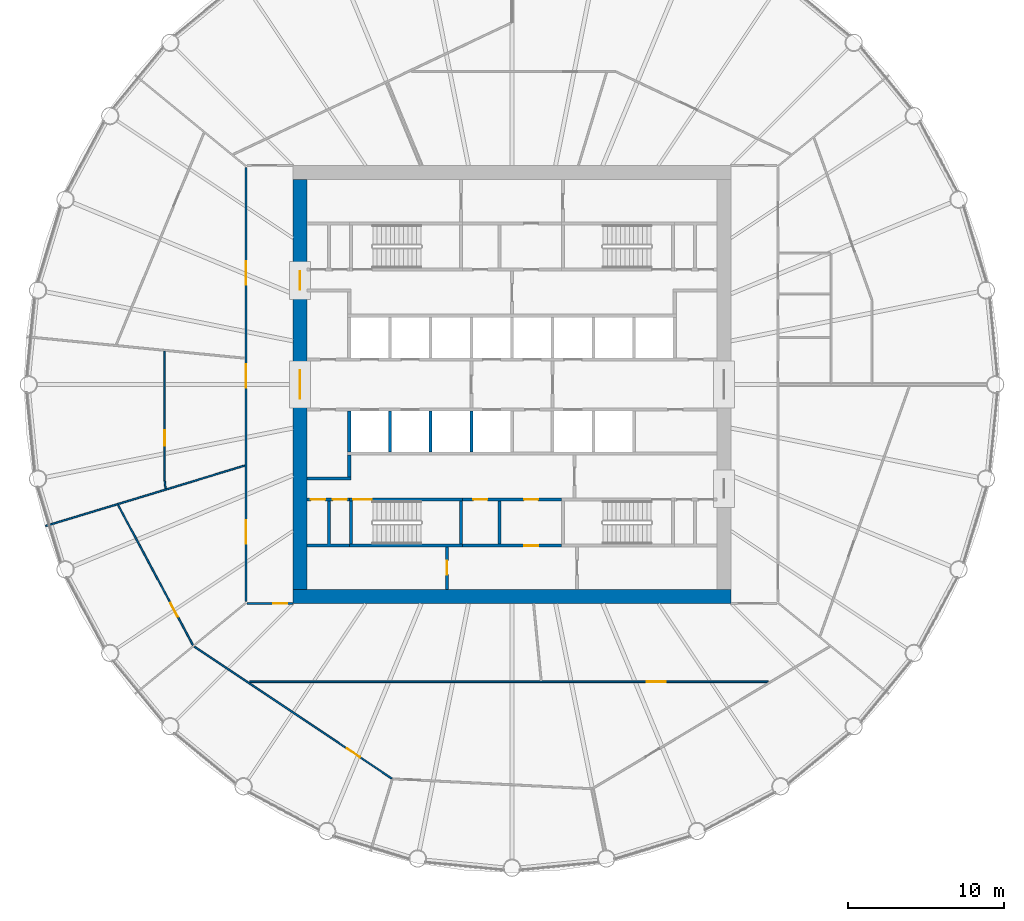
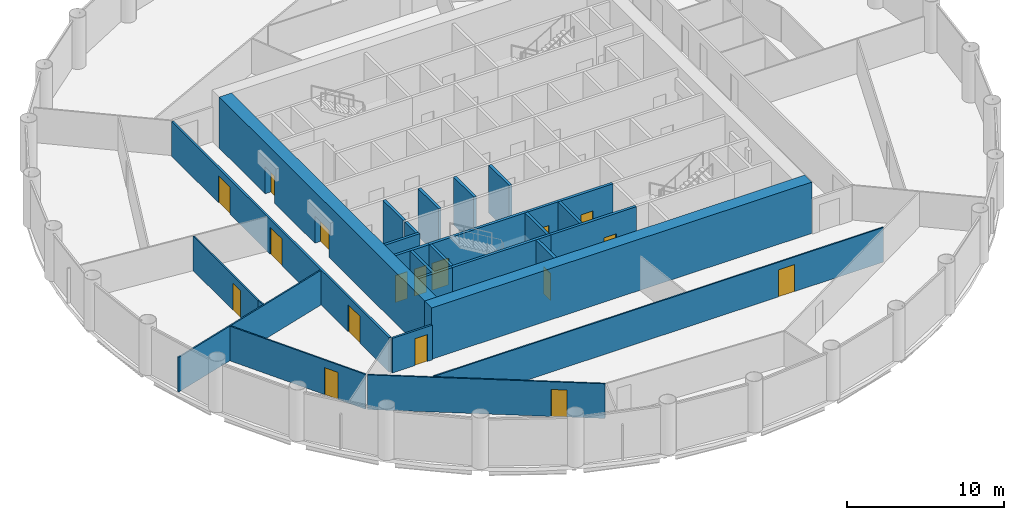
# One storey, part 4 of 9: 26 walls, 17 doors, 17 openings.
"""IFC4 building model written with IfcOpenShell, lengths in metres."""

import ifcopenshell
import ifcopenshell.guid

model = None  # the IFC model being written
_history = None  # IfcOwnerHistory: only IFC2X3 demands one
_inside = {}  # id of a spatial element -> (the spatial element, [elements in it])
_under = {}  # id of a project, library or spatial element -> (it, [spatial elements below it])
_declared = {}  # id of a project -> (the project, [libraries it declares])
_typed = {}  # id of a type object -> (the type object, [elements of that type])
_made_of = {}  # id of a material, layer set ... -> (it, [elements and type objects made of it])


def new_model(schema):
    """Start an empty IFC model of exactly this schema.

    Asked for "IFC4X3", IfcOpenShell would pick the latest addendum, in which some entities
    have other attributes; the version numbers below select the first issue.
    IFC2X3 requires an IfcOwnerHistory on every rooted entity: one is made here for all.
    """
    global model, _history
    if schema == "IFC4X3":
        model = ifcopenshell.file(schema_version=(4, 3, 0, 0))
    else:
        model = ifcopenshell.file(schema=schema)
    _inside.clear()
    _under.clear()
    _declared.clear()
    _typed.clear()
    _made_of.clear()
    _history = None
    if model.schema == "IFC2X3":
        org = make("IfcOrganization", Name="unknown")
        user = make(
            "IfcPersonAndOrganization",
            ThePerson=make("IfcPerson", FamilyName="unknown"),
            TheOrganization=org,
        )
        app = make(
            "IfcApplication",
            ApplicationDeveloper=org,
            Version="unknown",
            ApplicationFullName="unknown",
            ApplicationIdentifier="unknown",
        )
        _history = make(
            "IfcOwnerHistory",
            OwningUser=user,
            OwningApplication=app,
            ChangeAction="ADDED",
            CreationDate=0,
        )
    return model


def make(cls, **values):
    """One entity of the class cls with the attributes given. An attribute that is None is left unset."""
    return model.create_entity(
        cls, **{name: value for name, value in values.items() if value is not None}
    )


def rooted(cls, **values):
    """An entity with a GlobalId (a new one), such as an element, a storey or a relation."""
    return make(cls, GlobalId=ifcopenshell.guid.new(), OwnerHistory=_history, **values)


def si_unit(unit_type, name, prefix=None):
    """IfcSIUnit, for example si_unit("LENGTHUNIT", "METRE", prefix="MILLI")."""
    return make("IfcSIUnit", UnitType=unit_type, Prefix=prefix, Name=name)


def assignment(units):
    """IfcUnitAssignment: the units of a project."""
    return None if units is None else make("IfcUnitAssignment", Units=units)


def point(xyz):
    """IfcCartesianPoint."""
    return None if xyz is None else make("IfcCartesianPoint", Coordinates=xyz)


def direction(xyz):
    """IfcDirection."""
    return None if xyz is None else make("IfcDirection", DirectionRatios=xyz)


def frame(location, z_axis=None, x_axis=None):
    """IfcAxis2Placement3D, a coordinate frame: its origin and axes. An axis left out is left unset."""
    return make(
        "IfcAxis2Placement3D",
        Location=point(location),
        Axis=direction(z_axis),
        RefDirection=direction(x_axis),
    )


def frame_2d(location, x_axis=None):
    """IfcAxis2Placement2D, a coordinate frame in the plane: its origin and x axis."""
    return make(
        "IfcAxis2Placement2D", Location=point(location), RefDirection=direction(x_axis)
    )


def origin():
    """The frame at (0, 0, 0) with its axes left unset."""
    return frame((0.0, 0.0, 0.0))


def place(relative_to, where):
    """IfcLocalPlacement: puts the frame where relative to a parent placement (None: the world)."""
    return make(
        "IfcLocalPlacement", PlacementRelTo=relative_to, RelativePlacement=where
    )


def context(
    kind, dimensions, precision=None, world=None, true_north=None, identifier=None
):
    """IfcGeometricRepresentationContext, for example the 3D "Model" context."""
    return make(
        "IfcGeometricRepresentationContext",
        ContextIdentifier=identifier,
        ContextType=kind,
        CoordinateSpaceDimension=dimensions,
        Precision=precision,
        WorldCoordinateSystem=world,
        TrueNorth=true_north,
    )


def subcontext(parent, identifier, kind, view, scale=None):
    """IfcGeometricRepresentationSubContext, for example "Body" below "Model"."""
    return make(
        "IfcGeometricRepresentationSubContext",
        ContextIdentifier=identifier,
        ContextType=kind,
        ParentContext=parent,
        TargetScale=scale,
        TargetView=view,
    )


def project(units=None, contexts=None):
    """IfcProject with its units and contexts."""
    return rooted(
        "IfcProject",
        Name="project",
        RepresentationContexts=contexts,
        UnitsInContext=assignment(units),
    )


def spatial(cls, under=None, at=None, **own):
    """A site, building, storey or space (cls), placed at a placement, below another one or the project."""
    s = rooted(cls, ObjectPlacement=at, **own)
    if under is not None:
        _under.setdefault(under.id(), (under, []))[1].append(s)
    return s


def polyline(points):
    """IfcPolyline through the points."""
    return make("IfcPolyline", Points=[point(p) for p in points])


def profile(cls, at=None, kind="AREA", **sizes):
    """A parametric profile (cls). Its sizes go by their IFC names, for example OverallWidth=200.0."""
    return make(cls, ProfileType=kind, Position=at, **sizes)


def rectangle(**sizes):
    """IfcRectangleProfileDef."""
    return profile("IfcRectangleProfileDef", **sizes)


def outline(outer, holes=None, kind="AREA"):
    """IfcArbitraryClosedProfileDef: a profile drawn as a closed curve; with holes, ...WithVoids."""
    if holes is None:
        return make("IfcArbitraryClosedProfileDef", ProfileType=kind, OuterCurve=outer)
    return make(
        "IfcArbitraryProfileDefWithVoids",
        ProfileType=kind,
        OuterCurve=outer,
        InnerCurves=holes,
    )


def extrude(swept, where, along, depth):
    """IfcExtrudedAreaSolid: the profile swept, set in the frame where, extruded along a direction by depth."""
    return make(
        "IfcExtrudedAreaSolid",
        SweptArea=swept,
        Position=where,
        ExtrudedDirection=direction(along),
        Depth=depth,
    )


def shape(context_of_items, identifier, shape_type, items):
    """IfcShapeRepresentation: the items that make up one representation, for example the "Body"."""
    return make(
        "IfcShapeRepresentation",
        ContextOfItems=context_of_items,
        RepresentationIdentifier=identifier,
        RepresentationType=shape_type,
        Items=items,
    )


def material(Name=None, Category=None):
    """IfcMaterial."""
    return make("IfcMaterial", Name=Name, Category=Category)


def layer(
    of_material, thickness, ventilated=None, Name=None, Category=None, Priority=None
):
    """IfcMaterialLayer: one layer of a wall or slab, of a material (None: an air gap)."""
    return make(
        "IfcMaterialLayer",
        Material=of_material,
        LayerThickness=thickness,
        IsVentilated=ventilated,
        Name=Name,
        Category=Category,
        Priority=Priority,
    )


def layer_set(layers, Name=None):
    """IfcMaterialLayerSet."""
    return make("IfcMaterialLayerSet", MaterialLayers=layers, LayerSetName=Name)


def made_of(thing, what):
    """Note that an element or type object is made of a material, layer set ...; save() writes the relation."""
    if what is not None:
        _made_of.setdefault(what.id(), (what, []))[1].append(thing)
    return thing


def type_object(cls, material=None, **own):
    """A type object (cls), such as IfcWallType, which elements share."""
    return made_of(rooted(cls, **own), material)


def element(
    cls,
    number,
    at=None,
    inside=None,
    cuts=None,
    type_object=None,
    material=None,
    context=None,
    identifier="Body",
    shape_type=None,
    held_by="IfcProductDefinitionShape",
    body=None,
    shapes=None,
    **own,
):
    """One element of the class cls, such as IfcWall. Its Tag is "e" and its number.

    at: its placement. inside: the storey or other place that contains it. cuts: it is an
    opening in that element (IfcRelVoidsElement). A single representation is given by context,
    identifier, shape_type and body (its items); several are given by shapes. held_by: the class
    of the entity that holds the representations. save() writes the other relations.
    """
    e = rooted(cls, Tag="e%d" % number, ObjectPlacement=at, **own)
    if body is not None:
        shapes = [shape(context, identifier, shape_type, body)]
    if shapes is not None:
        e.Representation = make(held_by, Representations=shapes)
    if inside is not None:
        _inside.setdefault(inside.id(), (inside, []))[1].append(e)
    if cuts is not None:
        rooted(
            "IfcRelVoidsElement", RelatingBuildingElement=cuts, RelatedOpeningElement=e
        )
    if type_object is not None:
        _typed.setdefault(type_object.id(), (type_object, []))[1].append(e)
    return made_of(e, material)


def fill(opening, filler):
    """IfcRelFillsElement: the door or window that sits in an opening."""
    return rooted(
        "IfcRelFillsElement",
        RelatingOpeningElement=opening,
        RelatedBuildingElement=filler,
    )


def aggregate(whole, parts):
    """IfcRelAggregates: a whole, such as a stair, and the parts it consists of."""
    return rooted("IfcRelAggregates", RelatingObject=whole, RelatedObjects=parts)


def save(model, path):
    """Write the relations noted so far, then the file.

    IfcRelAggregates (storeys below a building ...), IfcRelContainedInSpatialStructure (elements
    in a storey), IfcRelDefinesByType, IfcRelAssociatesMaterial and IfcRelDeclares: one each for
    every whole, place, type object, material and project.
    """
    for whole, parts in _under.values():
        aggregate(whole, parts)
    for where, things in _inside.values():
        rooted(
            "IfcRelContainedInSpatialStructure",
            RelatedElements=things,
            RelatingStructure=where,
        )
    for kind, things in _typed.values():
        rooted("IfcRelDefinesByType", RelatedObjects=things, RelatingType=kind)
    for what, things in _made_of.values():
        rooted("IfcRelAssociatesMaterial", RelatedObjects=things, RelatingMaterial=what)
    for by, libraries in _declared.values():
        rooted("IfcRelDeclares", RelatingContext=by, RelatedDefinitions=libraries)
    model.write(path)


model = new_model("IFC4")

# Units and contexts
model_context = context("Model", 3, precision=1e-05, world=origin(), true_north=direction((0.0, 1.0)))
body_context = subcontext(model_context, "Body", "Model", "MODEL_VIEW")
ifc_project = project(units=[si_unit("LENGTHUNIT", "METRE"), si_unit("AREAUNIT", "SQUARE_METRE"), si_unit("VOLUMEUNIT", "CUBIC_METRE"), si_unit("PLANEANGLEUNIT", "RADIAN"), si_unit("MASSUNIT", "GRAM", prefix="KILO")], contexts=[model_context])

# Site, building, storey
site_placement = place(None, origin())
site = spatial("IfcSite", under=ifc_project, at=site_placement, CompositionType="ELEMENT")
building_placement = place(site_placement, origin())
building = spatial("IfcBuilding", under=site, at=building_placement, Name="Corvane Civic Tower", CompositionType="ELEMENT")
storey_placement = place(building_placement, frame((0.0, 0.0, 148.0)))
storey = spatial("IfcBuildingStorey", under=building, at=storey_placement, Name="L34", CompositionType="ELEMENT", Elevation=148.0)

# Wall
ifc_material_1 = material(Name="Concrete C60/75", Category="concrete")
ifc_layer_1 = layer(ifc_material_1, 0.89990234375)
ifc_layer_set_1 = layer_set([ifc_layer_1], Name="Concrete C60/75")
wall_type_1 = type_object("IfcWallType", Name="CORE WALL 900 C60/75", PredefinedType="SHEAR", material=ifc_layer_set_1)
wall_1_placement = place(storey_placement, frame((-14.0, -13.550048828125, 0.0), z_axis=(0.0, 0.0, 1.0), x_axis=(1.0, 0.0, 0.0)))
element("IfcWall", 1, at=wall_1_placement, inside=storey, type_object=wall_type_1, Name="W-L34-core-S", PredefinedType="SHEAR", context=body_context, shape_type="SweptSolid", body=[
    extrude(rectangle(XDim=28.0, YDim=0.89990234375, at=frame_2d((14.0, 0.0))), origin(), (0.0, 0.0, 1.0), 4.0),
])

# Wall, openings, doors
wall_2_placement = place(storey_placement, frame((-13.550048828125, -13.10009765625, 0.0), z_axis=(0.0, 0.0, 1.0), x_axis=(0.0, 1.0, 0.0)))
wall_2 = element("IfcWall", 2, at=wall_2_placement, inside=storey, type_object=wall_type_1, Name="W-L34-core-W", PredefinedType="SHEAR", context=body_context, shape_type="SweptSolid", body=[
    extrude(rectangle(XDim=26.2001953125, YDim=0.89990234375, at=frame_2d((13.10009765625, 0.0))), origin(), (0.0, 0.0, 1.0), 4.0),
])
opening_1_placement = place(wall_2_placement, frame((12.199951171875, 0.0, 0.0)))
opening_1 = element("IfcOpeningElement", 3, at=opening_1_placement, cuts=wall_2, Name="Opening L34.C32", PredefinedType="OPENING", context=body_context, shape_type="SweptSolid", body=[
    extrude(rectangle(XDim=1.800048828125, YDim=2.10009765625, at=frame_2d((0.89990234375, 1.050048828125))), frame((0.0, 0.4599609375, 0.0), z_axis=(0.0, -1.0, 0.0), x_axis=(1.0, 0.0, 0.0)), (0.0, 0.0, 1.0), 0.919921875),
])
opening_2_placement = place(wall_2_placement, frame((19.14990234375, 0.0, 0.0)))
opening_2 = element("IfcOpeningElement", 4, at=opening_2_placement, cuts=wall_2, Name="Opening L34.C34", PredefinedType="OPENING", context=body_context, shape_type="SweptSolid", body=[
    extrude(rectangle(XDim=1.199951171875, YDim=2.10009765625, at=frame_2d((0.60009765625, 1.050048828125))), frame((0.0, 0.4599609375, 0.0), z_axis=(0.0, -1.0, 0.0), x_axis=(1.0, 0.0, 0.0)), (0.0, 0.0, 1.0), 0.919921875),
])
ifc_material_2 = material(Name="Steel fire door leaf", Category="steel")
door_type_1 = type_object("IfcDoorType", Name="CR-DOOR-CORE-1800", OperationType="DOUBLE_DOOR_SINGLE_SWING", PredefinedType="DOOR", material=ifc_material_2)
door_1_placement = place(opening_1_placement, origin())
door_1 = element("IfcDoor", 5, at=door_1_placement, inside=storey, type_object=door_type_1, Name="L34 door", OperationType="DOUBLE_DOOR_SINGLE_SWING", OverallHeight=2.10009765625, OverallWidth=1.800048828125, PredefinedType="DOOR", context=body_context, shape_type="SweptSolid", body=[
    extrude(rectangle(XDim=1.800048828125, YDim=2.10009765625, at=frame_2d((0.89990234375, 1.050048828125))), frame((0.0, 0.02490234375, 0.0), z_axis=(0.0, -1.0, 0.0), x_axis=(1.0, 0.0, 0.0)), (0.0, 0.0, 1.0), 0.050048828125),
])
fill(opening_1, door_1)
door_2_placement = place(opening_2_placement, origin())
door_2 = element("IfcDoor", 6, at=door_2_placement, inside=storey, type_object=door_type_1, Name="L34 door", OperationType="DOUBLE_DOOR_SINGLE_SWING", OverallHeight=2.10009765625, OverallWidth=1.199951171875, PredefinedType="DOOR", context=body_context, shape_type="SweptSolid", body=[
    extrude(rectangle(XDim=1.199951171875, YDim=2.10009765625, at=frame_2d((0.60009765625, 1.050048828125))), frame((0.0, 0.02490234375, 0.0), z_axis=(0.0, -1.0, 0.0), x_axis=(1.0, 0.0, 0.0)), (0.0, 0.0, 1.0), 0.050048828125),
])
fill(opening_2, door_2)

# Wall, opening, door
ifc_material_3 = material(Name="Concrete C30/37", Category="concrete")
ifc_layer_2 = layer(ifc_material_3, 0.199951171875)
ifc_layer_set_2 = layer_set([ifc_layer_2], Name="Concrete C30/37")
wall_type_2 = type_object("IfcWallType", Name="CR-WALL-200", PredefinedType="PARTITIONING", material=ifc_layer_set_2)
wall_3_placement = place(storey_placement, frame((-3.14990234375, -10.300048828125, 0.0), z_axis=(0.0, 0.0, 1.0), x_axis=(1.0, 0.0, 0.0)))
wall_3 = element("IfcWall", 7, at=wall_3_placement, inside=storey, type_object=wall_type_2, Name="L34 partition wall", PredefinedType="PARTITIONING", context=body_context, shape_type="SweptSolid", body=[
    extrude(rectangle(XDim=6.2998046875, YDim=0.199951171875, at=frame_2d((3.14990234375, 0.0))), origin(), (0.0, 0.0, 1.0), 3.699951171875),
])
opening_3_placement = place(wall_3_placement, frame((3.925048828125, 0.0, 0.0)))
opening_3 = element("IfcOpeningElement", 8, at=opening_3_placement, cuts=wall_3, Name="Opening L34.C14", PredefinedType="OPENING", context=body_context, shape_type="SweptSolid", body=[
    extrude(rectangle(XDim=0.89990234375, YDim=2.10009765625, at=frame_2d((0.449951171875, 1.050048828125))), frame((0.0, 0.10986328125, 0.0), z_axis=(0.0, -1.0, 0.0), x_axis=(1.0, 0.0, 0.0)), (0.0, 0.0, 1.0), 0.219970703125),
])
ifc_material_4 = material(Name="Steel fire door leaf", Category="steel")
door_type_2 = type_object("IfcDoorType", Name="CR-DOOR-900", OperationType="SINGLE_SWING_LEFT", PredefinedType="DOOR", material=ifc_material_4)
door_3_placement = place(opening_3_placement, origin())
door_3 = element("IfcDoor", 9, at=door_3_placement, inside=storey, type_object=door_type_2, Name="L34 door", OperationType="SINGLE_SWING_LEFT", OverallHeight=2.10009765625, OverallWidth=0.89990234375, PredefinedType="DOOR", context=body_context, shape_type="SweptSolid", body=[
    extrude(rectangle(XDim=0.89990234375, YDim=2.10009765625, at=frame_2d((0.449951171875, 1.050048828125))), frame((0.0, 0.02490234375, 0.0), z_axis=(0.0, -1.0, 0.0), x_axis=(1.0, 0.0, 0.0)), (0.0, 0.0, 1.0), 0.050048828125),
])
fill(opening_3, door_3)

# Wall, openings, doors
wall_4_placement = place(storey_placement, frame((-13.10009765625, -7.35009765625, 0.0), z_axis=(0.0, 0.0, 1.0), x_axis=(1.0, 0.0, 0.0)))
wall_4 = element("IfcWall", 10, at=wall_4_placement, inside=storey, type_object=wall_type_2, Name="L34 core partition wall", PredefinedType="PARTITIONING", context=body_context, shape_type="SweptSolid", body=[
    extrude(rectangle(XDim=2.7001953125, YDim=0.199951171875, at=frame_2d((1.35009765625, 0.0))), origin(), (0.0, 0.0, 1.0), 3.699951171875),
])
opening_4_placement = place(wall_4_placement, frame((0.25, 0.0, 0.0)))
opening_4 = element("IfcOpeningElement", 11, at=opening_4_placement, cuts=wall_4, Name="Opening L34.C18", PredefinedType="OPENING", context=body_context, shape_type="SweptSolid", body=[
    extrude(rectangle(XDim=0.89990234375, YDim=2.10009765625, at=frame_2d((0.449951171875, 1.050048828125))), frame((0.0, 0.10986328125, 0.0), z_axis=(0.0, -1.0, 0.0), x_axis=(1.0, 0.0, 0.0)), (0.0, 0.0, 1.0), 0.219970703125),
])
opening_5_placement = place(wall_4_placement, frame((1.64990234375, 0.0, 0.0)))
opening_5 = element("IfcOpeningElement", 12, at=opening_5_placement, cuts=wall_4, Name="Opening L34.C19", PredefinedType="OPENING", context=body_context, shape_type="SweptSolid", body=[
    extrude(rectangle(XDim=0.89990234375, YDim=2.10009765625, at=frame_2d((0.449951171875, 1.050048828125))), frame((0.0, 0.10986328125, 0.0), z_axis=(0.0, -1.0, 0.0), x_axis=(1.0, 0.0, 0.0)), (0.0, 0.0, 1.0), 0.219970703125),
])
door_4_placement = place(opening_4_placement, origin())
door_4 = element("IfcDoor", 13, at=door_4_placement, inside=storey, type_object=door_type_2, Name="L34 door", OperationType="SINGLE_SWING_LEFT", OverallHeight=2.10009765625, OverallWidth=0.89990234375, PredefinedType="DOOR", context=body_context, shape_type="SweptSolid", body=[
    extrude(rectangle(XDim=0.89990234375, YDim=2.10009765625, at=frame_2d((0.449951171875, 1.050048828125))), frame((0.0, 0.02490234375, 0.0), z_axis=(0.0, -1.0, 0.0), x_axis=(1.0, 0.0, 0.0)), (0.0, 0.0, 1.0), 0.050048828125),
])
fill(opening_4, door_4)
door_5_placement = place(opening_5_placement, origin())
door_5 = element("IfcDoor", 14, at=door_5_placement, inside=storey, type_object=door_type_2, Name="L34 door", OperationType="SINGLE_SWING_LEFT", OverallHeight=2.10009765625, OverallWidth=0.89990234375, PredefinedType="DOOR", context=body_context, shape_type="SweptSolid", body=[
    extrude(rectangle(XDim=0.89990234375, YDim=2.10009765625, at=frame_2d((0.449951171875, 1.050048828125))), frame((0.0, 0.02490234375, 0.0), z_axis=(0.0, -1.0, 0.0), x_axis=(1.0, 0.0, 0.0)), (0.0, 0.0, 1.0), 0.050048828125),
])
fill(opening_5, door_5)

wall_5_placement = place(storey_placement, frame((-3.14990234375, -7.35009765625, 0.0), z_axis=(0.0, 0.0, 1.0), x_axis=(1.0, 0.0, 0.0)))
wall_5 = element("IfcWall", 15, at=wall_5_placement, inside=storey, type_object=wall_type_2, Name="L34 core partition wall", PredefinedType="PARTITIONING", context=body_context, shape_type="SweptSolid", body=[
    extrude(rectangle(XDim=6.2998046875, YDim=0.199951171875, at=frame_2d((3.14990234375, 0.0))), origin(), (0.0, 0.0, 1.0), 3.699951171875),
])
opening_6_placement = place(wall_5_placement, frame((0.675048828125, 0.0, 0.0)))
opening_6 = element("IfcOpeningElement", 16, at=opening_6_placement, cuts=wall_5, Name="Opening L34.C08", PredefinedType="OPENING", context=body_context, shape_type="SweptSolid", body=[
    extrude(rectangle(XDim=0.89990234375, YDim=2.10009765625, at=frame_2d((0.449951171875, 1.050048828125))), frame((0.0, 0.10986328125, 0.0), z_axis=(0.0, -1.0, 0.0), x_axis=(1.0, 0.0, 0.0)), (0.0, 0.0, 1.0), 0.219970703125),
])
opening_7_placement = place(wall_5_placement, frame((3.925048828125, 0.0, 0.0)))
opening_7 = element("IfcOpeningElement", 17, at=opening_7_placement, cuts=wall_5, Name="Opening L34.C09", PredefinedType="OPENING", context=body_context, shape_type="SweptSolid", body=[
    extrude(rectangle(XDim=0.89990234375, YDim=2.10009765625, at=frame_2d((0.449951171875, 1.050048828125))), frame((0.0, 0.10986328125, 0.0), z_axis=(0.0, -1.0, 0.0), x_axis=(1.0, 0.0, 0.0)), (0.0, 0.0, 1.0), 0.219970703125),
])
door_6_placement = place(opening_6_placement, origin())
door_6 = element("IfcDoor", 18, at=door_6_placement, inside=storey, type_object=door_type_2, Name="L34 door", OperationType="SINGLE_SWING_LEFT", OverallHeight=2.10009765625, OverallWidth=0.89990234375, PredefinedType="DOOR", context=body_context, shape_type="SweptSolid", body=[
    extrude(rectangle(XDim=0.89990234375, YDim=2.10009765625, at=frame_2d((0.449951171875, 1.050048828125))), frame((0.0, 0.02490234375, 0.0), z_axis=(0.0, -1.0, 0.0), x_axis=(1.0, 0.0, 0.0)), (0.0, 0.0, 1.0), 0.050048828125),
])
fill(opening_6, door_6)
door_7_placement = place(opening_7_placement, origin())
door_7 = element("IfcDoor", 19, at=door_7_placement, inside=storey, type_object=door_type_2, Name="L34 door", OperationType="SINGLE_SWING_LEFT", OverallHeight=2.10009765625, OverallWidth=0.89990234375, PredefinedType="DOOR", context=body_context, shape_type="SweptSolid", body=[
    extrude(rectangle(XDim=0.89990234375, YDim=2.10009765625, at=frame_2d((0.449951171875, 1.050048828125))), frame((0.0, 0.02490234375, 0.0), z_axis=(0.0, -1.0, 0.0), x_axis=(1.0, 0.0, 0.0)), (0.0, 0.0, 1.0), 0.050048828125),
])
fill(opening_7, door_7)

# Wall, opening, door
wall_6_placement = place(storey_placement, frame((-4.14990234375, -13.10009765625, 0.0), z_axis=(0.0, 0.0, 1.0), x_axis=(0.0, 1.0, 0.0)))
wall_6 = element("IfcWall", 20, at=wall_6_placement, inside=storey, type_object=wall_type_2, Name="L34 partition wall", PredefinedType="PARTITIONING", context=body_context, shape_type="SweptSolid", body=[
    extrude(rectangle(XDim=2.7001953125, YDim=0.199951171875, at=frame_2d((1.35009765625, 0.0))), origin(), (0.0, 0.0, 1.0), 3.699951171875),
])
opening_8_placement = place(wall_6_placement, frame((0.949951171875, 0.0, 0.0)))
opening_8 = element("IfcOpeningElement", 21, at=opening_8_placement, cuts=wall_6, Name="Opening L34.C13", PredefinedType="OPENING", context=body_context, shape_type="SweptSolid", body=[
    extrude(rectangle(XDim=0.89990234375, YDim=2.10009765625, at=frame_2d((0.449951171875, 1.050048828125))), frame((0.0, 0.10986328125, 0.0), z_axis=(0.0, -1.0, 0.0), x_axis=(1.0, 0.0, 0.0)), (0.0, 0.0, 1.0), 0.219970703125),
])
door_8_placement = place(opening_8_placement, origin())
door_8 = element("IfcDoor", 22, at=door_8_placement, inside=storey, type_object=door_type_2, Name="L34 door", OperationType="SINGLE_SWING_LEFT", OverallHeight=2.10009765625, OverallWidth=0.89990234375, PredefinedType="DOOR", context=body_context, shape_type="SweptSolid", body=[
    extrude(rectangle(XDim=0.89990234375, YDim=2.10009765625, at=frame_2d((0.449951171875, 1.050048828125))), frame((0.0, 0.02490234375, 0.0), z_axis=(0.0, -1.0, 0.0), x_axis=(1.0, 0.0, 0.0)), (0.0, 0.0, 1.0), 0.050048828125),
])
fill(opening_8, door_8)

# Walls
wall_7_placement = place(storey_placement, origin())
element("IfcWall", 23, at=wall_7_placement, inside=storey, type_object=wall_type_2, Name="L34 core partition wall", PredefinedType="PARTITIONING", context=body_context, shape_type="SweptSolid", body=[
    extrude(outline(polyline([(-10.300048828125, -6.10009765625), (-13.10009765625, -6.10009765625), (-13.10009765625, -5.89990234375), (-10.300048828125, -5.89990234375), (-10.300048828125, -6.10009765625)])), origin(), (0.0, 0.0, 1.0), 3.699951171875),
])
wall_8_placement = place(storey_placement, origin())
element("IfcWall", 24, at=wall_8_placement, inside=storey, type_object=wall_type_2, Name="L34 core partition wall", PredefinedType="PARTITIONING", context=body_context, shape_type="SweptSolid", body=[
    extrude(outline(polyline([(-2.5, -1.699951171875), (-2.5, -4.2998046875), (-2.699951171875, -4.2998046875), (-2.699951171875, -1.699951171875), (-2.5, -1.699951171875)])), origin(), (0.0, 0.0, 1.0), 3.699951171875),
])
wall_9_placement = place(storey_placement, origin())
element("IfcWall", 25, at=wall_9_placement, inside=storey, type_object=wall_type_2, Name="L34 core partition wall", PredefinedType="PARTITIONING", context=body_context, shape_type="SweptSolid", body=[
    extrude(outline(polyline([(-10.300048828125, -1.699951171875), (-10.300048828125, -4.2998046875), (-10.5, -4.2998046875), (-10.5, -1.699951171875), (-10.300048828125, -1.699951171875)])), origin(), (0.0, 0.0, 1.0), 3.699951171875),
])
wall_10_placement = place(storey_placement, origin())
element("IfcWall", 26, at=wall_10_placement, inside=storey, type_object=wall_type_2, Name="L34 core partition wall", PredefinedType="PARTITIONING", context=body_context, shape_type="SweptSolid", body=[
    extrude(outline(polyline([(-7.699951171875, -1.699951171875), (-7.699951171875, -4.2998046875), (-7.89990234375, -4.2998046875), (-7.89990234375, -1.699951171875), (-7.699951171875, -1.699951171875)])), origin(), (0.0, 0.0, 1.0), 3.699951171875),
])
wall_11_placement = place(storey_placement, origin())
element("IfcWall", 27, at=wall_11_placement, inside=storey, type_object=wall_type_2, Name="L34 core partition wall", PredefinedType="PARTITIONING", context=body_context, shape_type="SweptSolid", body=[
    extrude(outline(polyline([(-5.10009765625, -1.699951171875), (-5.10009765625, -4.2998046875), (-5.300048828125, -4.2998046875), (-5.300048828125, -1.699951171875), (-5.10009765625, -1.699951171875)])), origin(), (0.0, 0.0, 1.0), 3.699951171875),
])
wall_12_placement = place(storey_placement, origin())
element("IfcWall", 28, at=wall_12_placement, inside=storey, type_object=wall_type_2, Name="L34 core partition wall", PredefinedType="PARTITIONING", context=body_context, shape_type="SweptSolid", body=[
    extrude(outline(polyline([(-10.300048828125, -5.89990234375), (-10.5, -5.89990234375), (-10.5, -4.5), (-10.300048828125, -4.5), (-10.300048828125, -5.89990234375)])), origin(), (0.0, 0.0, 1.0), 3.699951171875),
])
wall_13_placement = place(storey_placement, origin())
element("IfcWall", 29, at=wall_13_placement, inside=storey, type_object=wall_type_2, Name="L34 core partition wall", PredefinedType="PARTITIONING", context=body_context, shape_type="SweptSolid", body=[
    extrude(outline(polyline([(-11.800048828125, -7.449951171875), (-11.60009765625, -7.449951171875), (-11.60009765625, -10.199951171875), (-10.39990234375, -10.199951171875), (-10.39990234375, -10.39990234375), (-13.10009765625, -10.39990234375), (-13.10009765625, -10.199951171875), (-11.800048828125, -10.199951171875), (-11.800048828125, -7.449951171875)])), origin(), (0.0, 0.0, 1.0), 3.699951171875),
])
wall_14_placement = place(storey_placement, origin())
element("IfcWall", 30, at=wall_14_placement, inside=storey, type_object=wall_type_2, Name="L34 core partition wall", PredefinedType="PARTITIONING", context=body_context, shape_type="SweptSolid", body=[
    extrude(outline(polyline([(-0.699951171875, -10.199951171875), (-0.89990234375, -10.199951171875), (-0.89990234375, -7.449951171875), (-0.699951171875, -7.449951171875), (-0.699951171875, -10.199951171875)])), origin(), (0.0, 0.0, 1.0), 3.699951171875),
])

# Wall, opening, door
ifc_material_5 = material(Name="Plasterboard")
ifc_layer_3 = layer(ifc_material_5, 0.10009765625)
ifc_layer_set_3 = layer_set([ifc_layer_3], Name="Plasterboard")
wall_type_3 = type_object("IfcWallType", Name="Partition 100 plasterboard on studs", PredefinedType="PARTITIONING", material=ifc_layer_set_3)
wall_15_placement = place(storey_placement, frame((-20.308349609375, -16.750244140625, 0.0), z_axis=(0.0, 0.0, 1.0), x_axis=(0.831468762021, -0.555571505553, 0.0)))
wall_15 = element("IfcWall", 31, at=wall_15_placement, inside=storey, type_object=wall_type_3, Name="Partition L34.005", PredefinedType="PARTITIONING", context=body_context, shape_type="SweptSolid", body=[
    extrude(rectangle(XDim=15.190185546875, YDim=0.10009765625, at=frame_2d((7.59521484375, 0.0))), origin(), (0.0, 0.0, 1.0), 2.699951171875),
])
opening_9_placement = place(wall_15_placement, frame((11.74365234375, 0.0, 0.0)))
opening_9 = element("IfcOpeningElement", 32, at=opening_9_placement, cuts=wall_15, Name="Opening L34.008", PredefinedType="OPENING", context=body_context, shape_type="SweptSolid", body=[
    extrude(rectangle(XDim=1.0, YDim=2.10009765625, at=frame_2d((0.5, 1.050048828125))), frame((0.0, 0.06005859375, 0.0), z_axis=(0.0, -1.0, 0.0), x_axis=(1.0, 0.0, 0.0)), (0.0, 0.0, 1.0), 0.1201171875),
])
ifc_material_6 = material(Name="Timber", Category="wood")
door_type_3 = type_object("IfcDoorType", Name="Single door 1000", OperationType="NOTDEFINED", PredefinedType="DOOR", material=ifc_material_6)
door_9_placement = place(opening_9_placement, frame((1.0, 0.0, 0.0), z_axis=(0.0, 0.0, 1.0), x_axis=(-1.0, 0.0, 0.0)))
door_9 = element("IfcDoor", 33, at=door_9_placement, inside=storey, type_object=door_type_3, Name="Door L34.008", OperationType="SINGLE_SWING_RIGHT", OverallHeight=2.10009765625, OverallWidth=1.0, PredefinedType="DOOR", context=body_context, shape_type="SweptSolid", body=[
    extrude(rectangle(XDim=1.0, YDim=2.10009765625, at=frame_2d((0.5, 1.050048828125))), frame((0.0, 0.02490234375, 0.0), z_axis=(0.0, -1.0, 0.0), x_axis=(1.0, 0.0, 0.0)), (0.0, 0.0, 1.0), 0.050048828125),
])
fill(opening_9, door_9)

wall_16_placement = place(storey_placement, frame((-16.776611328125, -19.0, 0.0), z_axis=(0.0, 0.0, 1.0), x_axis=(1.0, 0.0, 0.0)))
wall_16 = element("IfcWall", 34, at=wall_16_placement, inside=storey, type_object=wall_type_3, Name="Partition L34.008", PredefinedType="PARTITIONING", context=body_context, shape_type="SweptSolid", body=[
    extrude(rectangle(XDim=33.144287109375, YDim=0.10009765625, at=frame_2d((16.572265625, 0.0))), origin(), (0.0, 0.0, 1.0), 2.699951171875),
])
opening_10_placement = place(wall_16_placement, frame((25.399169921875, 0.0, 0.0)))
opening_10 = element("IfcOpeningElement", 35, at=opening_10_placement, cuts=wall_16, Name="Opening L34.009", PredefinedType="OPENING", context=body_context, shape_type="SweptSolid", body=[
    extrude(rectangle(XDim=1.199951171875, YDim=2.10009765625, at=frame_2d((0.60009765625, 1.050048828125))), frame((0.0, 0.06005859375, 0.0), z_axis=(0.0, -1.0, 0.0), x_axis=(1.0, 0.0, 0.0)), (0.0, 0.0, 1.0), 0.1201171875),
])
ifc_material_7 = material(Name="Timber", Category="wood")
door_type_4 = type_object("IfcDoorType", Name="Double door 1200", OperationType="NOTDEFINED", PredefinedType="DOOR", material=ifc_material_7)
door_10_placement = place(opening_10_placement, frame((1.199951171875, 0.0, 0.0), z_axis=(0.0, 0.0, 1.0), x_axis=(-1.0, 0.0, 0.0)))
door_10 = element("IfcDoor", 36, at=door_10_placement, inside=storey, type_object=door_type_4, Name="Door L34.009", OperationType="DOUBLE_DOOR_SINGLE_SWING", OverallHeight=2.10009765625, OverallWidth=1.199951171875, PredefinedType="DOOR", context=body_context, shape_type="SweptSolid", body=[
    extrude(rectangle(XDim=1.199951171875, YDim=2.10009765625, at=frame_2d((0.60009765625, 1.050048828125))), frame((0.0, 0.02490234375, 0.0), z_axis=(0.0, -1.0, 0.0), x_axis=(1.0, 0.0, 0.0)), (0.0, 0.0, 1.0), 0.050048828125),
])
fill(opening_10, door_10)

wall_17_placement = place(storey_placement, frame((-25.181396484375, -7.701171875, 0.0), z_axis=(0.0, 0.0, 1.0), x_axis=(0.471401446327, -0.881918747052, 0.0)))
wall_17 = element("IfcWall", 37, at=wall_17_placement, inside=storey, type_object=wall_type_3, Name="Partition L34.010", PredefinedType="PARTITIONING", context=body_context, shape_type="SweptSolid", body=[
    extrude(rectangle(XDim=10.1572265625, YDim=0.10009765625, at=frame_2d((5.07861328125, 0.0))), origin(), (0.0, 0.0, 1.0), 2.699951171875),
])
opening_11_placement = place(wall_17_placement, frame((7.104248046875, 0.0, 0.0)))
opening_11 = element("IfcOpeningElement", 38, at=opening_11_placement, cuts=wall_17, Name="Opening L34.019", PredefinedType="OPENING", context=body_context, shape_type="SweptSolid", body=[
    extrude(rectangle(XDim=1.0, YDim=2.10009765625, at=frame_2d((0.5, 1.050048828125))), frame((0.0, 0.06005859375, 0.0), z_axis=(0.0, -1.0, 0.0), x_axis=(1.0, 0.0, 0.0)), (0.0, 0.0, 1.0), 0.1201171875),
])
door_11_placement = place(opening_11_placement, frame((1.0, 0.0, 0.0), z_axis=(0.0, 0.0, 1.0), x_axis=(-1.0, 0.0, 0.0)))
door_11 = element("IfcDoor", 39, at=door_11_placement, inside=storey, type_object=door_type_3, Name="Door L34.019", OperationType="SINGLE_SWING_LEFT", OverallHeight=2.10009765625, OverallWidth=1.0, PredefinedType="DOOR", context=body_context, shape_type="SweptSolid", body=[
    extrude(rectangle(XDim=1.0, YDim=2.10009765625, at=frame_2d((0.5, 1.050048828125))), frame((0.0, 0.02490234375, 0.0), z_axis=(0.0, -1.0, 0.0), x_axis=(1.0, 0.0, 0.0)), (0.0, 0.0, 1.0), 0.050048828125),
])
fill(opening_11, door_11)

# Walls
wall_18_placement = place(storey_placement, frame((-29.808837890625, -9.04248046875, 0.0), z_axis=(0.0, 0.0, 1.0), x_axis=(0.956939088308, 0.290288789428, 0.0)))
element("IfcWall", 40, at=wall_18_placement, inside=storey, type_object=wall_type_3, Name="Partition L34.016", PredefinedType="PARTITIONING", context=body_context, shape_type="SweptSolid", body=[
    extrude(rectangle(XDim=13.29150390625, YDim=0.10009765625, at=frame_2d((6.645751953125, 0.0))), origin(), (0.0, 0.0, 1.0), 2.699951171875),
])
wall_19_placement = place(storey_placement, frame((-22.2001953125, -6.147705078125, 0.0), z_axis=(0.0, 0.0, 1.0), x_axis=(0.097849520581, -0.995201221524, 0.0)))
element("IfcWall", 41, at=wall_19_placement, inside=storey, type_object=wall_type_3, Name="Partition L34.017", PredefinedType="PARTITIONING", context=body_context, shape_type="SweptSolid", body=[
    extrude(rectangle(XDim=0.511474609375, YDim=0.10009765625, at=frame_2d((0.255859375, 0.0))), origin(), (0.0, 0.0, 1.0), 2.699951171875),
])

# Wall, opening, door
wall_20_placement = place(storey_placement, frame((-22.199951171875, -6.147705078125, 0.0), z_axis=(0.0, 0.0, 1.0), x_axis=(0.0, 1.0, 0.0)))
wall_20 = element("IfcWall", 42, at=wall_20_placement, inside=storey, type_object=wall_type_3, Name="Partition L34.018", PredefinedType="PARTITIONING", context=body_context, shape_type="SweptSolid", body=[
    extrude(rectangle(XDim=8.279052734375, YDim=0.10009765625, at=frame_2d((4.1396484375, 0.0))), origin(), (0.0, 0.0, 1.0), 2.699951171875),
])
opening_12_placement = place(wall_20_placement, frame((2.228271484375, 0.0, 0.0)))
opening_12 = element("IfcOpeningElement", 43, at=opening_12_placement, cuts=wall_20, Name="Opening L34.021", PredefinedType="OPENING", context=body_context, shape_type="SweptSolid", body=[
    extrude(rectangle(XDim=1.0, YDim=2.10009765625, at=frame_2d((0.5, 1.050048828125))), frame((0.0, 0.06005859375, 0.0), z_axis=(0.0, -1.0, 0.0), x_axis=(1.0, 0.0, 0.0)), (0.0, 0.0, 1.0), 0.1201171875),
])
door_12_placement = place(opening_12_placement, origin())
door_12 = element("IfcDoor", 44, at=door_12_placement, inside=storey, type_object=door_type_3, Name="Door L34.021", OperationType="SINGLE_SWING_LEFT", OverallHeight=2.10009765625, OverallWidth=1.0, PredefinedType="DOOR", context=body_context, shape_type="SweptSolid", body=[
    extrude(rectangle(XDim=1.0, YDim=2.10009765625, at=frame_2d((0.5, 1.050048828125))), frame((0.0, 0.02490234375, 0.0), z_axis=(0.0, -1.0, 0.0), x_axis=(1.0, 0.0, 0.0)), (0.0, 0.0, 1.0), 0.050048828125),
])
fill(opening_12, door_12)

ifc_material_8 = material(Name="Concrete C50/60", Category="concrete")
ifc_layer_4 = layer(ifc_material_8, 0.199951171875)
ifc_layer_set_4 = layer_set([ifc_layer_4], Name="Concrete C50/60")
wall_type_4 = type_object("IfcWallType", Name="ST-WALL-200", PredefinedType="SHEAR", material=ifc_layer_set_4)
wall_21_placement = place(storey_placement, frame((-10.39990234375, -7.35009765625, 0.0), z_axis=(0.0, 0.0, 1.0), x_axis=(1.0, 0.0, 0.0)))
wall_21 = element("IfcWall", 45, at=wall_21_placement, inside=storey, type_object=wall_type_4, Name="L34 stair enclosure wall", PredefinedType="SHEAR", context=body_context, shape_type="SweptSolid", body=[
    extrude(rectangle(XDim=7.25, YDim=0.199951171875, at=frame_2d((3.625, 0.0))), origin(), (0.0, 0.0, 1.0), 3.699951171875),
])
opening_13_placement = place(wall_21_placement, frame((0.25, 0.0, 0.0)))
opening_13 = element("IfcOpeningElement", 46, at=opening_13_placement, cuts=wall_21, Name="Opening L34.C27", PredefinedType="OPENING", context=body_context, shape_type="SweptSolid", body=[
    extrude(rectangle(XDim=1.199951171875, YDim=2.10009765625, at=frame_2d((0.60009765625, 1.050048828125))), frame((0.0, 0.10986328125, 0.0), z_axis=(0.0, -1.0, 0.0), x_axis=(1.0, 0.0, 0.0)), (0.0, 0.0, 1.0), 0.219970703125),
])
ifc_material_9 = material(Name="Steel fire door leaf", Category="steel")
door_type_5 = type_object("IfcDoorType", Name="ST-DOOR-1200", OperationType="SINGLE_SWING_RIGHT", PredefinedType="DOOR", material=ifc_material_9)
door_13_placement = place(opening_13_placement, origin())
door_13 = element("IfcDoor", 47, at=door_13_placement, inside=storey, type_object=door_type_5, Name="L34 stair door", OperationType="SINGLE_SWING_RIGHT", OverallHeight=2.10009765625, OverallWidth=1.199951171875, PredefinedType="DOOR", context=body_context, shape_type="SweptSolid", body=[
    extrude(rectangle(XDim=1.199951171875, YDim=2.10009765625, at=frame_2d((0.60009765625, 1.050048828125))), frame((0.0, 0.02490234375, 0.0), z_axis=(0.0, -1.0, 0.0), x_axis=(1.0, 0.0, 0.0)), (0.0, 0.0, 1.0), 0.050048828125),
])
fill(opening_13, door_13)

# Walls
wall_22_placement = place(storey_placement, origin())
element("IfcWall", 48, at=wall_22_placement, inside=storey, type_object=wall_type_4, Name="L34 stair enclosure wall", PredefinedType="SHEAR", context=body_context, shape_type="SweptSolid", body=[
    extrude(outline(polyline([(-3.14990234375, -10.199951171875), (-3.14990234375, -10.39990234375), (-10.39990234375, -10.39990234375), (-10.39990234375, -10.199951171875), (-3.14990234375, -10.199951171875)])), origin(), (0.0, 0.0, 1.0), 3.699951171875),
])
wall_23_placement = place(storey_placement, origin())
element("IfcWall", 49, at=wall_23_placement, inside=storey, type_object=wall_type_4, Name="L34 stair enclosure wall", PredefinedType="SHEAR", context=body_context, shape_type="SweptSolid", body=[
    extrude(outline(polyline([(-3.14990234375, -7.449951171875), (-3.14990234375, -10.199951171875), (-3.35009765625, -10.199951171875), (-3.35009765625, -7.449951171875), (-3.14990234375, -7.449951171875)])), origin(), (0.0, 0.0, 1.0), 3.699951171875),
])
wall_24_placement = place(storey_placement, origin())
element("IfcWall", 50, at=wall_24_placement, inside=storey, type_object=wall_type_4, Name="L34 stair enclosure wall", PredefinedType="SHEAR", context=body_context, shape_type="SweptSolid", body=[
    extrude(outline(polyline([(-10.199951171875, -7.449951171875), (-10.199951171875, -10.199951171875), (-10.39990234375, -10.199951171875), (-10.39990234375, -7.449951171875), (-10.199951171875, -7.449951171875)])), origin(), (0.0, 0.0, 1.0), 3.699951171875),
])

# Wall, opening, door
ifc_material_10 = material(Name="Plasterboard")
ifc_layer_5 = layer(ifc_material_10, 0.14990234375)
ifc_layer_set_5 = layer_set([ifc_layer_5], Name="Plasterboard")
wall_type_5 = type_object("IfcWallType", Name="Tenancy wall 150 EI 60", PredefinedType="PARTITIONING", material=ifc_layer_set_5)
wall_25_placement = place(storey_placement, frame((-16.925048828125, -14.0, 0.0), z_axis=(0.0, 0.0, 1.0), x_axis=(1.0, 0.0, 0.0)))
wall_25 = element("IfcWall", 51, at=wall_25_placement, inside=storey, type_object=wall_type_5, Name="Partition L34.012", PredefinedType="PARTITIONING", context=body_context, shape_type="SweptSolid", body=[
    extrude(rectangle(XDim=2.93505859375, YDim=0.14990234375, at=frame_2d((1.467529296875, 0.0))), origin(), (0.0, 0.0, 1.0), 2.699951171875),
])
opening_14_placement = place(wall_25_placement, frame((1.66357421875, 0.0, 0.0)))
opening_14 = element("IfcOpeningElement", 52, at=opening_14_placement, cuts=wall_25, Name="Opening L34.011", PredefinedType="OPENING", context=body_context, shape_type="SweptSolid", body=[
    extrude(rectangle(XDim=0.89990234375, YDim=2.10009765625, at=frame_2d((0.449951171875, 1.050048828125))), frame((0.0, 0.0849609375, 0.0), z_axis=(0.0, -1.0, 0.0), x_axis=(1.0, 0.0, 0.0)), (0.0, 0.0, 1.0), 0.169921875),
])
ifc_material_11 = material(Name="Steel and timber", Category="steel")
door_type_6 = type_object("IfcDoorType", Name="Fire door FD30S 900", OperationType="NOTDEFINED", PredefinedType="DOOR", material=ifc_material_11)
door_14_placement = place(opening_14_placement, frame((0.89990234375, 0.0, 0.0), z_axis=(0.0, 0.0, 1.0), x_axis=(-1.0, 0.0, 0.0)))
door_14 = element("IfcDoor", 53, at=door_14_placement, inside=storey, type_object=door_type_6, Name="Door L34.011", OperationType="SINGLE_SWING_RIGHT", OverallHeight=2.10009765625, OverallWidth=0.89990234375, PredefinedType="DOOR", context=body_context, shape_type="SweptSolid", body=[
    extrude(rectangle(XDim=0.89990234375, YDim=2.10009765625, at=frame_2d((0.449951171875, 1.050048828125))), frame((0.0, 0.02490234375, 0.0), z_axis=(0.0, -1.0, 0.0), x_axis=(1.0, 0.0, 0.0)), (0.0, 0.0, 1.0), 0.050048828125),
])
fill(opening_14, door_14)

# Wall, openings, doors
wall_26_placement = place(storey_placement, frame((-17.0, -13.87646484375, 0.0), z_axis=(0.0, 0.0, 1.0), x_axis=(0.0, 1.0, 0.0)))
wall_26 = element("IfcWall", 54, at=wall_26_placement, inside=storey, type_object=wall_type_5, Name="Partition L34.014", PredefinedType="PARTITIONING", context=body_context, shape_type="SweptSolid", body=[
    extrude(rectangle(XDim=27.7529296875, YDim=0.14990234375, at=frame_2d((13.87646484375, 0.0))), origin(), (0.0, 0.0, 1.0), 2.699951171875),
])
opening_15_placement = place(wall_26_placement, frame((3.711181640625, 0.0, 0.0)))
opening_15 = element("IfcOpeningElement", 55, at=opening_15_placement, cuts=wall_26, Name="Opening L34.020", PredefinedType="OPENING", context=body_context, shape_type="SweptSolid", body=[
    extrude(rectangle(XDim=1.5, YDim=2.10009765625, at=frame_2d((0.75, 1.050048828125))), frame((0.0, 0.0849609375, 0.0), z_axis=(0.0, -1.0, 0.0), x_axis=(1.0, 0.0, 0.0)), (0.0, 0.0, 1.0), 0.169921875),
])
opening_16_placement = place(wall_26_placement, frame((13.656494140625, 0.0, 0.0)))
opening_16 = element("IfcOpeningElement", 56, at=opening_16_placement, cuts=wall_26, Name="Opening L34.022", PredefinedType="OPENING", context=body_context, shape_type="SweptSolid", body=[
    extrude(rectangle(XDim=1.5, YDim=2.10009765625, at=frame_2d((0.75, 1.050048828125))), frame((0.0, 0.0849609375, 0.0), z_axis=(0.0, -1.0, 0.0), x_axis=(1.0, 0.0, 0.0)), (0.0, 0.0, 1.0), 0.169921875),
])
opening_17_placement = place(wall_26_placement, frame((20.268798828125, 0.0, 0.0)))
opening_17 = element("IfcOpeningElement", 57, at=opening_17_placement, cuts=wall_26, Name="Opening L34.024", PredefinedType="OPENING", context=body_context, shape_type="SweptSolid", body=[
    extrude(rectangle(XDim=1.5, YDim=2.10009765625, at=frame_2d((0.75, 1.050048828125))), frame((0.0, 0.0849609375, 0.0), z_axis=(0.0, -1.0, 0.0), x_axis=(1.0, 0.0, 0.0)), (0.0, 0.0, 1.0), 0.169921875),
])
ifc_material_12 = material(Name="Steel and timber", Category="steel")
door_type_7 = type_object("IfcDoorType", Name="Fire door FD60 double 1500", OperationType="NOTDEFINED", PredefinedType="DOOR", material=ifc_material_12)
door_15_placement = place(opening_15_placement, origin())
door_15 = element("IfcDoor", 58, at=door_15_placement, inside=storey, type_object=door_type_7, Name="Door L34.020", OperationType="DOUBLE_DOOR_SINGLE_SWING", OverallHeight=2.10009765625, OverallWidth=1.5, PredefinedType="DOOR", context=body_context, shape_type="SweptSolid", body=[
    extrude(rectangle(XDim=1.5, YDim=2.10009765625, at=frame_2d((0.75, 1.050048828125))), frame((0.0, 0.02490234375, 0.0), z_axis=(0.0, -1.0, 0.0), x_axis=(1.0, 0.0, 0.0)), (0.0, 0.0, 1.0), 0.050048828125),
])
fill(opening_15, door_15)
door_16_placement = place(opening_16_placement, origin())
door_16 = element("IfcDoor", 59, at=door_16_placement, inside=storey, type_object=door_type_7, Name="Door L34.022", OperationType="DOUBLE_DOOR_SINGLE_SWING", OverallHeight=2.10009765625, OverallWidth=1.5, PredefinedType="DOOR", context=body_context, shape_type="SweptSolid", body=[
    extrude(rectangle(XDim=1.5, YDim=2.10009765625, at=frame_2d((0.75, 1.050048828125))), frame((0.0, 0.02490234375, 0.0), z_axis=(0.0, -1.0, 0.0), x_axis=(1.0, 0.0, 0.0)), (0.0, 0.0, 1.0), 0.050048828125),
])
fill(opening_16, door_16)
door_17_placement = place(opening_17_placement, origin())
door_17 = element("IfcDoor", 60, at=door_17_placement, inside=storey, type_object=door_type_7, Name="Door L34.024", OperationType="DOUBLE_DOOR_SINGLE_SWING", OverallHeight=2.10009765625, OverallWidth=1.5, PredefinedType="DOOR", context=body_context, shape_type="SweptSolid", body=[
    extrude(rectangle(XDim=1.5, YDim=2.10009765625, at=frame_2d((0.75, 1.050048828125))), frame((0.0, 0.02490234375, 0.0), z_axis=(0.0, -1.0, 0.0), x_axis=(1.0, 0.0, 0.0)), (0.0, 0.0, 1.0), 0.050048828125),
])
fill(opening_17, door_17)

save(model, "model.ifc")
